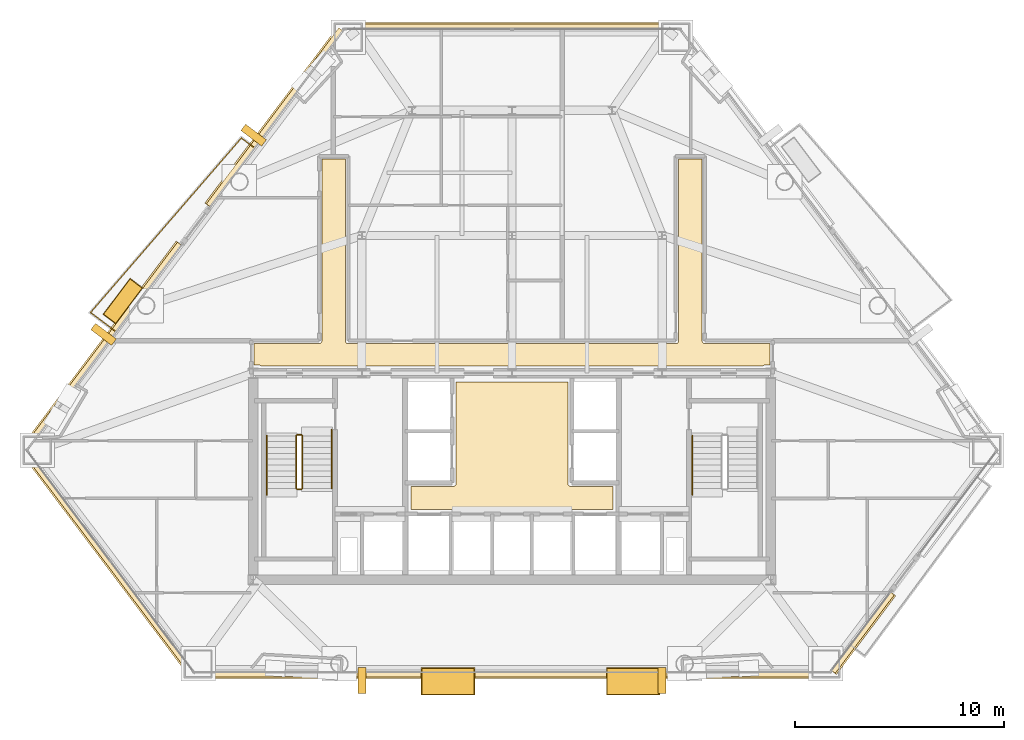
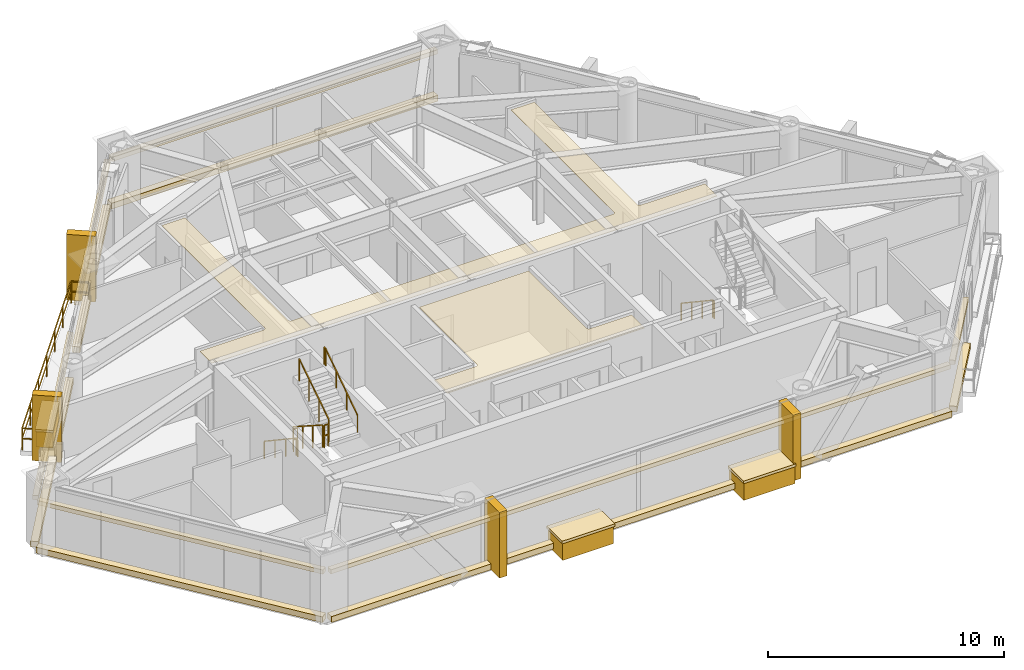
# One storey, part 9 of 10: 24 coverings, 8 railings.
"""IFC4 building model written with IfcOpenShell, lengths in metres."""

from ifc_helpers import new_model, si_unit, direction, frame, origin, origin_2d, place, context, subcontext, project, spatial, polyline, rectangle, outline, extrude, material, layer, layer_set, type_object, element, save


model = new_model("IFC4")

# Units and contexts
model_context = context("Model", 3, precision=1e-05, world=origin(), true_north=direction((0.0, 1.0)))
body_context = subcontext(model_context, "Body", "Model", "MODEL_VIEW")
ifc_project = project(units=[si_unit("LENGTHUNIT", "METRE"), si_unit("AREAUNIT", "SQUARE_METRE"), si_unit("VOLUMEUNIT", "CUBIC_METRE"), si_unit("PLANEANGLEUNIT", "RADIAN"), si_unit("MASSUNIT", "GRAM", prefix="KILO")], contexts=[model_context])

# Site, building, storey
site_placement = place(None, origin())
site = spatial("IfcSite", under=ifc_project, at=site_placement, CompositionType="ELEMENT")
building_placement = place(site_placement, origin())
building = spatial("IfcBuilding", under=site, at=building_placement, Name="Talgorran Terracotta Tower", CompositionType="ELEMENT")
storey_placement = place(building_placement, frame((0.0, 0.0, 49.5)))
storey = spatial("IfcBuildingStorey", under=building, at=storey_placement, Name="L12", CompositionType="ELEMENT", Elevation=49.5)

# Coverings
ifc_material_1 = material(Name="Kiln-Fired Terracotta Ochre Ceramic", Category="masonry")
ifc_layer_1 = layer(ifc_material_1, 0.179931640625, Name="COV_BAGUETTE_TERRACOTTA_SCREEN")
ifc_layer_set_1 = layer_set([ifc_layer_1], Name="Kiln-Fired Terracotta Ochre Ceramic")
covering_type_1 = type_object("IfcCoveringType", Name="COV_BAGUETTE_TERRACOTTA_SCREEN", PredefinedType="CLADDING", material=ifc_layer_set_1)
covering_1_placement = place(storey_placement, frame((-19.33154296875, -13.274169921875, 2.41015625), z_axis=(0.0, 0.0, 1.0), x_axis=(0.601633803014, -0.798772036986, 0.0)))
element("IfcCovering", 1, at=covering_1_placement, inside=storey, type_object=covering_type_1, Name="L12 Terracotta Baguette Solar Screen Assembly F0", PredefinedType="CLADDING", context=body_context, shape_type="SweptSolid", body=[
    extrude(rectangle(XDim=13.184326171875, YDim=0.260009765625, at=origin_2d()), origin(), (0.0, 0.0, 1.0), 0.219970703125),
])
covering_2_placement = place(storey_placement, frame((0.0, -18.635498046875, 2.41015625), z_axis=(0.0, 0.0, 1.0), x_axis=(1.0, 0.0, 0.0)))
element("IfcCovering", 2, at=covering_2_placement, inside=storey, type_object=covering_type_1, Name="L12 Terracotta Baguette Solar Screen Assembly F1", PredefinedType="CLADDING", context=body_context, shape_type="SweptSolid", body=[
    extrude(rectangle(XDim=30.3466796875, YDim=0.260009765625, at=origin_2d()), origin(), (0.0, 0.0, 1.0), 0.219970703125),
])
covering_3_placement = place(storey_placement, frame((16.8046875, -16.62890625, 2.41015625), z_axis=(0.0, 0.0, 1.0), x_axis=(0.601633803014, 0.798772036986, 0.0)))
element("IfcCovering", 3, at=covering_3_placement, inside=storey, type_object=covering_type_1, Name="L12 Terracotta Baguette Solar Screen Assembly F30", PredefinedType="CLADDING", context=body_context, shape_type="SweptSolid", body=[
    extrude(rectangle(XDim=4.70458984375, YDim=0.260009765625, at=origin_2d()), origin(), (0.0, 0.0, 1.0), 0.219970703125),
])
covering_4_placement = place(storey_placement, frame((0.0, 12.40576171875, 2.41015625), z_axis=(0.0, 0.0, 1.0), x_axis=(-1.0, 0.0, 0.0)))
element("IfcCovering", 4, at=covering_4_placement, inside=storey, type_object=covering_type_1, Name="L12 Terracotta Baguette Solar Screen Assembly F4", PredefinedType="CLADDING", context=body_context, shape_type="SweptSolid", body=[
    extrude(rectangle(XDim=15.953857421875, YDim=0.260009765625, at=origin_2d()), origin(), (0.0, 0.0, 1.0), 0.219970703125),
])
covering_5_placement = place(storey_placement, frame((-11.37158203125, 8.057861328125, 2.41015625), z_axis=(0.0, 0.0, 1.0), x_axis=(-0.601633803014, -0.798772036986, 0.0)))
element("IfcCovering", 5, at=covering_5_placement, inside=storey, type_object=covering_type_1, Name="L12 Terracotta Baguette Solar Screen Assembly F60", PredefinedType="CLADDING", context=body_context, shape_type="SweptSolid", body=[
    extrude(rectangle(XDim=10.566650390625, YDim=0.260009765625, at=origin_2d()), origin(), (0.0, 0.0, 1.0), 0.219970703125),
])
covering_6_placement = place(storey_placement, frame((-19.603759765625, -2.8720703125, 2.41015625), z_axis=(0.0, 0.0, 1.0), x_axis=(-0.601633803014, -0.798772036986, 0.0)))
element("IfcCovering", 6, at=covering_6_placement, inside=storey, type_object=covering_type_1, Name="L12 Terracotta Baguette Solar Screen Assembly F61", PredefinedType="CLADDING", context=body_context, shape_type="SweptSolid", body=[
    extrude(rectangle(XDim=12.199462890625, YDim=0.260009765625, at=origin_2d()), origin(), (0.0, 0.0, 1.0), 0.219970703125),
])
ifc_material_2 = material(Name="Mineral Fibre Acoustic Tile")
ifc_layer_2 = layer(ifc_material_2, 0.02490234375, Name="COV_CEIL_ACOUSTIC")
ifc_layer_set_2 = layer_set([ifc_layer_2], Name="Mineral Fibre Acoustic Tile")
covering_type_2 = type_object("IfcCoveringType", Name="COV_CEIL_ACOUSTIC", PredefinedType="CEILING", material=ifc_layer_set_2)
covering_7_placement = place(storey_placement, frame((0.0, 0.0, 3.260009765625)))
element("IfcCovering", 7, at=covering_7_placement, inside=storey, type_object=covering_type_2, Name="CEIL-L12-2", PredefinedType="CEILING", context=body_context, shape_type="SweptSolid", body=[
    extrude(outline(polyline([(-12.364990234375, -2.784912109375), (-9.25, -2.784912109375), (-9.23828125, -2.784423828125), (-9.226806640625, -2.78271484375), (-9.21533203125, -2.77978515625), (-9.20703125, -2.77734375), (-9.196044921875, -2.7734375), (-9.185302734375, -2.768310546875), (-9.17529296875, -2.762451171875), (-9.165771484375, -2.75537109375), (-9.156982421875, -2.74755859375), (-9.149169921875, -2.73876953125), (-9.1435546875, -2.73193359375), (-9.136474609375, -2.722412109375), (-9.13037109375, -2.71240234375), (-9.125244140625, -2.70166015625), (-9.121337890625, -2.690673828125), (-9.118408203125, -2.67919921875), (-9.11669921875, -2.66748046875), (-9.1162109375, -2.65576171875), (-9.114990234375, 6.06494140625), (-7.985107421875, 6.06494140625), (-7.985107421875, -2.64990234375), (-7.984375, -2.66162109375), (-7.982666015625, -2.67333984375), (-7.97998046875, -2.6845703125), (-7.977294921875, -2.69287109375), (-7.973388671875, -2.7041015625), (-7.968505859375, -2.714599609375), (-7.96240234375, -2.724853515625), (-7.955322265625, -2.734375), (-7.947509765625, -2.742919921875), (-7.938720703125, -2.7509765625), (-7.931884765625, -2.756591796875), (-7.922607421875, -2.763671875), (-7.912353515625, -2.769775390625), (-7.901611328125, -2.774658203125), (-7.890625, -2.77880859375), (-7.879150390625, -2.781494140625), (-7.867431640625, -2.783203125), (-7.855712890625, -2.783935546875), (7.85009765625, -2.784912109375), (7.86181640625, -2.784423828125), (7.873291015625, -2.78271484375), (7.884521484375, -2.77978515625), (7.892822265625, -2.77734375), (7.904052734375, -2.7734375), (7.914794921875, -2.768310546875), (7.9248046875, -2.762451171875), (7.934326171875, -2.75537109375), (7.943115234375, -2.74755859375), (7.950927734375, -2.73876953125), (7.95654296875, -2.73193359375), (7.963623046875, -2.722412109375), (7.9697265625, -2.71240234375), (7.974609375, -2.70166015625), (7.978759765625, -2.690673828125), (7.981689453125, -2.67919921875), (7.9833984375, -2.66748046875), (7.98388671875, -2.65576171875), (7.985107421875, 6.06494140625), (9.114990234375, 6.06494140625), (9.114990234375, -2.64990234375), (9.115478515625, -2.66162109375), (9.1171875, -2.67333984375), (9.1201171875, -2.6845703125), (9.12255859375, -2.69287109375), (9.12646484375, -2.7041015625), (9.131591796875, -2.714599609375), (9.1376953125, -2.724853515625), (9.14453125, -2.734375), (9.152587890625, -2.742919921875), (9.1611328125, -2.7509765625), (9.16796875, -2.756591796875), (9.177490234375, -2.763671875), (9.1875, -2.769775390625), (9.1982421875, -2.774658203125), (9.20947265625, -2.77880859375), (9.220703125, -2.781494140625), (9.232421875, -2.783203125), (9.244384765625, -2.783935546875), (12.364990234375, -2.784912109375), (12.364990234375, -3.80908203125), (12.1201171875, -3.80908203125), (12.108154296875, -3.8095703125), (12.0966796875, -3.811279296875), (12.085205078125, -3.814208984375), (12.07421875, -3.818115234375), (12.0634765625, -3.8232421875), (12.05322265625, -3.8291015625), (12.0439453125, -3.836181640625), (12.03515625, -3.843994140625), (12.034423828125, -3.844970703125), (7.432861328125, -3.844970703125), (6.968017578125, -3.843017578125), (6.967529296875, -3.843017578125), (0.232666015625, -3.844970703125), (-0.23193359375, -3.843017578125), (-0.232421875, -3.843017578125), (-6.96728515625, -3.844970703125), (-7.431884765625, -3.843017578125), (-7.4326171875, -3.843017578125), (-12.034423828125, -3.844970703125), (-12.03515625, -3.843994140625), (-12.0439453125, -3.836181640625), (-12.05322265625, -3.8291015625), (-12.0634765625, -3.8232421875), (-12.07421875, -3.818115234375), (-12.085205078125, -3.814208984375), (-12.0966796875, -3.811279296875), (-12.108154296875, -3.8095703125), (-12.1201171875, -3.80908203125), (-12.364990234375, -3.80908203125), (-12.364990234375, -2.784912109375)])), origin(), (0.0, 0.0, 1.0), 0.02001953125),
])
ifc_material_3 = material(Name="Flush Moisture-Resistant Plaster")
ifc_layer_3 = layer(ifc_material_3, 0.01806640625, Name="COV_CEIL_PLASTER")
ifc_layer_set_3 = layer_set([ifc_layer_3], Name="Flush Moisture-Resistant Plaster")
covering_type_3 = type_object("IfcCoveringType", Name="COV_CEIL_PLASTER", PredefinedType="CEILING", material=ifc_layer_set_3)
covering_8_placement = place(storey_placement, frame((0.0, 0.0, 3.260009765625)))
element("IfcCovering", 8, at=covering_8_placement, inside=storey, type_object=covering_type_3, Name="CEIL-L12-1", PredefinedType="CEILING", context=body_context, shape_type="SweptSolid", body=[
    extrude(outline(polyline([(-4.830078125, -9.6201171875), (-2.800048828125, -9.6201171875), (-2.7880859375, -9.619384765625), (-2.776611328125, -9.61767578125), (-2.76513671875, -9.61474609375), (-2.754150390625, -9.61083984375), (-2.743408203125, -9.605712890625), (-2.7333984375, -9.599853515625), (-2.723876953125, -9.5927734375), (-2.715087890625, -9.5849609375), (-2.707275390625, -9.576171875), (-2.7001953125, -9.566650390625), (-2.694091796875, -9.556640625), (-2.689208984375, -9.5458984375), (-2.685302734375, -9.534912109375), (-2.682373046875, -9.5234375), (-2.6806640625, -9.51171875), (-2.679931640625, -9.5), (-2.679931640625, -4.6201171875), (2.679931640625, -4.6201171875), (2.679931640625, -9.5), (2.6806640625, -9.51171875), (2.682373046875, -9.5234375), (2.685302734375, -9.534912109375), (2.689208984375, -9.5458984375), (2.694091796875, -9.556640625), (2.7001953125, -9.566650390625), (2.707275390625, -9.576171875), (2.715087890625, -9.5849609375), (2.723876953125, -9.5927734375), (2.7333984375, -9.599853515625), (2.743408203125, -9.605712890625), (2.754150390625, -9.61083984375), (2.76513671875, -9.61474609375), (2.776611328125, -9.61767578125), (2.7880859375, -9.619384765625), (2.800048828125, -9.6201171875), (4.830078125, -9.6201171875), (4.830078125, -10.72998046875), (-4.830078125, -10.72998046875), (-4.830078125, -9.6201171875)])), origin(), (0.0, 0.0, 1.0), 0.02001953125),
])
ifc_material_4 = material(Name="Honed Limestone and Terracotta Planter", Category="masonry")
ifc_layer_4 = layer(ifc_material_4, 0.1201171875, Name="COV_PLANTER_BOX")
ifc_layer_set_4 = layer_set([ifc_layer_4], Name="Honed Limestone and Terracotta Planter")
covering_type_4 = type_object("IfcCoveringType", Name="COV_PLANTER_BOX", PredefinedType="CLADDING", material=ifc_layer_set_4)
for number, where, z_axis, x_axis, name in (
    (9, (5.815185546875, -18.9755859375, -0.179931640625), (0.0, 0.0, 1.0), (1.0, 0.0, 0.0), "L12 Staggered South Facade Planter Box 1"),
    (10, (-3.060546875, -18.9755859375, -0.179931640625), (0.0, 0.0, 1.0), (1.0, 0.0, 0.0), "L12 Staggered South Facade Planter Box 2"),
):
    element("IfcCovering", number, at=place(storey_placement, frame(where, z_axis=z_axis, x_axis=x_axis)), inside=storey, type_object=covering_type_4, Name=name, PredefinedType="CLADDING", context=body_context, shape_type="SweptSolid", body=[
        extrude(rectangle(XDim=2.5, YDim=1.25, at=origin_2d()), origin(), (0.0, 0.0, 1.0), 0.919921875),
    ])
covering_9_placement = place(storey_placement, frame((-18.6513671875, -0.744873046875, -0.02001953125), z_axis=(0.0, 0.0, 1.0), x_axis=(-0.601633803014, -0.798772036986, 0.0)))
element("IfcCovering", 11, at=covering_9_placement, inside=storey, type_object=covering_type_4, Name="L12 Staggered Balcony Planter Box BAL-NW", PredefinedType="CLADDING", context=body_context, shape_type="SweptSolid", body=[
    extrude(rectangle(XDim=2.10009765625, YDim=0.719970703125, at=origin_2d()), origin(), (0.0, 0.0, 1.0), 0.860107421875),
])
ifc_material_5 = material(Name="Kiln-Fired Terracotta Planter Rim", Category="masonry")
ifc_layer_5 = layer(ifc_material_5, 0.10009765625, Name="COV_PLANTER_RIM")
ifc_layer_set_5 = layer_set([ifc_layer_5], Name="Kiln-Fired Terracotta Planter Rim")
covering_type_5 = type_object("IfcCoveringType", Name="COV_PLANTER_RIM", PredefinedType="CLADDING", material=ifc_layer_set_5)
for number, where, z_axis, x_axis, name in (
    (12, (5.815185546875, -18.9755859375, 0.7099609375), (0.0, 0.0, 1.0), (1.0, 0.0, 0.0), "L12 South Planter Terracotta Rim 1"),
    (13, (-3.060546875, -18.9755859375, 0.7099609375), (0.0, 0.0, 1.0), (1.0, 0.0, 0.0), "L12 South Planter Terracotta Rim 2"),
):
    element("IfcCovering", number, at=place(storey_placement, frame(where, z_axis=z_axis, x_axis=x_axis)), inside=storey, type_object=covering_type_5, Name=name, PredefinedType="CLADDING", context=body_context, shape_type="SweptSolid", body=[
        extrude(rectangle(XDim=2.580078125, YDim=1.320068359375, at=origin_2d()), origin(), (0.0, 0.0, 1.0), 0.139892578125),
    ])
covering_10_placement = place(storey_placement, frame((-18.6513671875, -0.744873046875, 0.800048828125), z_axis=(0.0, 0.0, 1.0), x_axis=(-0.601633803014, -0.798772036986, 0.0)))
element("IfcCovering", 14, at=covering_10_placement, inside=storey, type_object=covering_type_5, Name="L12 Balcony Planter Terracotta Rim BAL-NW", PredefinedType="CLADDING", context=body_context, shape_type="SweptSolid", body=[
    extrude(rectangle(XDim=2.179931640625, YDim=0.780029296875, at=origin_2d()), origin(), (0.0, 0.0, 1.0), 0.1201171875),
])
ifc_material_6 = material(Name="Honed Limestone Cladding", Category="masonry")
ifc_layer_6 = layer(ifc_material_6, 0.094970703125, Name="COV_PORTAL_LIME")
ifc_layer_set_6 = layer_set([ifc_layer_6], Name="Honed Limestone Cladding")
covering_type_6 = type_object("IfcCoveringType", Name="COV_PORTAL_LIME", PredefinedType="CLADDING", material=ifc_layer_set_6)
covering_11_placement = place(storey_placement, frame((-19.36328125, -13.298095703125, -0.0400390625), z_axis=(0.0, 0.0, 1.0), x_axis=(0.601633803014, -0.798772036986, 0.0)))
element("IfcCovering", 15, at=covering_11_placement, inside=storey, type_object=covering_type_6, Name="L12 Striped Postmodern Portal Cladding Band F0", PredefinedType="CLADDING", context=body_context, shape_type="SweptSolid", body=[
    extrude(rectangle(XDim=13.204345703125, YDim=0.340087890625, at=origin_2d()), origin(), (0.0, 0.0, 1.0), 0.300048828125),
])
covering_12_placement = place(storey_placement, frame((0.0, -18.675537109375, -0.0400390625), z_axis=(0.0, 0.0, 1.0), x_axis=(1.0, 0.0, 0.0)))
element("IfcCovering", 16, at=covering_12_placement, inside=storey, type_object=covering_type_6, Name="L12 Striped Postmodern Portal Cladding Band F1", PredefinedType="CLADDING", context=body_context, shape_type="SweptSolid", body=[
    extrude(rectangle(XDim=30.36669921875, YDim=0.340087890625, at=origin_2d()), origin(), (0.0, 0.0, 1.0), 0.300048828125),
])
covering_13_placement = place(storey_placement, frame((16.836669921875, -16.65283203125, -0.0400390625), z_axis=(0.0, 0.0, 1.0), x_axis=(0.601633803014, 0.798772036986, 0.0)))
element("IfcCovering", 17, at=covering_13_placement, inside=storey, type_object=covering_type_6, Name="L12 Striped Postmodern Portal Cladding Band F30", PredefinedType="CLADDING", context=body_context, shape_type="SweptSolid", body=[
    extrude(rectangle(XDim=4.724609375, YDim=0.340087890625, at=origin_2d()), origin(), (0.0, 0.0, 1.0), 0.300048828125),
])
covering_14_placement = place(storey_placement, frame((0.0, 12.44580078125, -0.0400390625), z_axis=(0.0, 0.0, 1.0), x_axis=(-1.0, 0.0, 0.0)))
element("IfcCovering", 18, at=covering_14_placement, inside=storey, type_object=covering_type_6, Name="L12 Striped Postmodern Portal Cladding Band F4", PredefinedType="CLADDING", context=body_context, shape_type="SweptSolid", body=[
    extrude(rectangle(XDim=15.973876953125, YDim=0.340087890625, at=origin_2d()), origin(), (0.0, 0.0, 1.0), 0.300048828125),
])
covering_15_placement = place(storey_placement, frame((-11.403564453125, 8.081787109375, -0.0400390625), z_axis=(0.0, 0.0, 1.0), x_axis=(-0.601633803014, -0.798772036986, 0.0)))
element("IfcCovering", 19, at=covering_15_placement, inside=storey, type_object=covering_type_6, Name="L12 Striped Postmodern Portal Cladding Band F60", PredefinedType="CLADDING", context=body_context, shape_type="SweptSolid", body=[
    extrude(rectangle(XDim=10.586669921875, YDim=0.340087890625, at=origin_2d()), origin(), (0.0, 0.0, 1.0), 0.300048828125),
])
covering_16_placement = place(storey_placement, frame((-19.635498046875, -2.847900390625, -0.0400390625), z_axis=(0.0, 0.0, 1.0), x_axis=(-0.601633803014, -0.798772036986, 0.0)))
element("IfcCovering", 20, at=covering_16_placement, inside=storey, type_object=covering_type_6, Name="L12 Striped Postmodern Portal Cladding Band F61", PredefinedType="CLADDING", context=body_context, shape_type="SweptSolid", body=[
    extrude(rectangle(XDim=12.219482421875, YDim=0.340087890625, at=origin_2d()), origin(), (0.0, 0.0, 1.0), 0.300048828125),
])
for number, where, z_axis, x_axis, name in (
    (21, (7.1923828125, -18.935546875, -0.050048828125), (0.0, 0.0, 1.0), (1.0, 0.0, 0.0), "L12 White Striped Portal Fin F1-2"),
    (22, (-19.578369140625, -2.339599609375, -0.050048828125), (0.0, 0.0, 1.0), (-0.601633803014, -0.798772036986, 0.0), "L12 White Striped Portal Fin F5-2"),
):
    element("IfcCovering", number, at=place(storey_placement, frame(where, z_axis=z_axis, x_axis=x_axis)), inside=storey, type_object=covering_type_6, Name=name, PredefinedType="CLADDING", context=body_context, shape_type="SweptSolid", body=[
        extrude(rectangle(XDim=0.3798828125, YDim=1.25, at=origin_2d()), origin(), (0.0, 0.0, 1.0), 3.39990234375),
    ])
ifc_material_7 = material(Name="Kiln-Fired Terracotta Cladding", Category="masonry")
ifc_layer_7 = layer(ifc_material_7, 0.090087890625, Name="COV_PORTAL_TERRA")
ifc_layer_set_7 = layer_set([ifc_layer_7], Name="Kiln-Fired Terracotta Cladding")
covering_type_7 = type_object("IfcCoveringType", Name="COV_PORTAL_TERRA", PredefinedType="CLADDING", material=ifc_layer_set_7)
for number, where, z_axis, x_axis, name in (
    (23, (-7.1923828125, -18.935546875, -0.050048828125), (0.0, 0.0, 1.0), (1.0, 0.0, 0.0), "L12 Terracotta Striped Portal Fin F1-1"),
    (24, (-12.3857421875, 7.2099609375, -0.050048828125), (0.0, 0.0, 1.0), (-0.601633803014, -0.798772036986, 0.0), "L12 Terracotta Striped Portal Fin F5-1"),
):
    element("IfcCovering", number, at=place(storey_placement, frame(where, z_axis=z_axis, x_axis=x_axis)), inside=storey, type_object=covering_type_7, Name=name, PredefinedType="CLADDING", context=body_context, shape_type="SweptSolid", body=[
        extrude(rectangle(XDim=0.3798828125, YDim=1.25, at=origin_2d()), origin(), (0.0, 0.0, 1.0), 3.39990234375),
    ])

# Railings
ifc_material_8 = material(Name="Laminated Glass and Stainless Steel 316", Category="steel")
railing_type_1 = type_object("IfcRailingType", Name="RL_BALCONY_1150", PredefinedType="BALUSTRADE", material=ifc_material_8)
railing_1_placement = place(storey_placement, frame((-12.35986328125, 6.612548828125, 0.0)))
element("IfcRailing", 25, at=railing_1_placement, inside=storey, type_object=railing_type_1, Name="RL-L12-BAL-BAL-NW", PredefinedType="BALUSTRADE", context=body_context, shape_type="SweptSolid", body=[
    extrude(rectangle(XDim=0.048095703125, YDim=0.048095703125, at=origin_2d()), frame((0.0, 0.0, 1.1259765625), z_axis=(-0.798816898576, 0.60157423694, 0.0), x_axis=(-0.60157423694, -0.798816898576, 0.0)), (0.0, 0.0, 1.0), 0.7685546875),
    extrude(rectangle(XDim=0.048095703125, YDim=0.048095703125, at=origin_2d()), frame((0.0, 0.0, 0.597900390625), z_axis=(-0.798816898576, 0.60157423694, 0.0), x_axis=(-0.60157423694, -0.798816898576, 0.0)), (0.0, 0.0, 1.0), 0.7685546875),
    extrude(rectangle(XDim=0.048095703125, YDim=0.048095703125, at=origin_2d()), frame((-0.614013671875, 0.46240234375, 1.1259765625), z_axis=(-0.653784845329, -0.756680497976, 0.0), x_axis=(0.756680497976, -0.653784845329, 0.0)), (0.0, 0.0, 1.0), 11.056884765625),
    extrude(rectangle(XDim=0.048095703125, YDim=0.048095703125, at=origin_2d()), frame((-0.614013671875, 0.46240234375, 0.597900390625), z_axis=(-0.653784845329, -0.756680497976, 0.0), x_axis=(0.756680497976, -0.653784845329, 0.0)), (0.0, 0.0, 1.0), 11.056884765625),
    extrude(rectangle(XDim=0.048095703125, YDim=0.048095703125, at=origin_2d()), frame((-7.8427734375, -7.904052734375, 1.1259765625), z_axis=(0.798717123576, -0.601706703059, 0.0), x_axis=(0.601706703059, 0.798717123576, 0.0)), (0.0, 0.0, 1.0), 1.50927734375),
    extrude(rectangle(XDim=0.048095703125, YDim=0.048095703125, at=origin_2d()), frame((-7.8427734375, -7.904052734375, 0.597900390625), z_axis=(0.798717123576, -0.601706703059, 0.0), x_axis=(0.601706703059, 0.798717123576, 0.0)), (0.0, 0.0, 1.0), 1.50927734375),
    extrude(rectangle(XDim=0.0419921875, YDim=0.0419921875, at=origin_2d()), origin(), (0.0, 0.0, 1.0), 1.101806640625),
    extrude(rectangle(XDim=0.0419921875, YDim=0.0419921875, at=origin_2d()), frame((-0.614013671875, 0.46240234375, 0.0)), (0.0, 0.0, 1.0), 1.101806640625),
    extrude(rectangle(XDim=0.0419921875, YDim=0.0419921875, at=origin_2d()), frame((-1.81884765625, -0.93212890625, 0.0)), (0.0, 0.0, 1.0), 1.101806640625),
    extrude(rectangle(XDim=0.0419921875, YDim=0.0419921875, at=origin_2d()), frame((-3.023681640625, -2.326416015625, 0.0)), (0.0, 0.0, 1.0), 1.101806640625),
    extrude(rectangle(XDim=0.0419921875, YDim=0.0419921875, at=origin_2d()), frame((-4.228515625, -3.720703125, 0.0)), (0.0, 0.0, 1.0), 1.101806640625),
    extrude(rectangle(XDim=0.0419921875, YDim=0.0419921875, at=origin_2d()), frame((-5.43310546875, -5.115234375, 0.0)), (0.0, 0.0, 1.0), 1.101806640625),
    extrude(rectangle(XDim=0.0419921875, YDim=0.0419921875, at=origin_2d()), frame((-6.637939453125, -6.509765625, 0.0)), (0.0, 0.0, 1.0), 1.101806640625),
    extrude(rectangle(XDim=0.0419921875, YDim=0.0419921875, at=origin_2d()), frame((-7.8427734375, -7.904052734375, 0.0)), (0.0, 0.0, 1.0), 1.101806640625),
    extrude(rectangle(XDim=0.0419921875, YDim=0.0419921875, at=origin_2d()), frame((-6.63720703125, -8.812255859375, 0.0)), (0.0, 0.0, 1.0), 1.101806640625),
])
ifc_material_9 = material(Name="Steel S355 (300PLUS)", Category="steel")
railing_type_2 = type_object("IfcRailingType", Name="RL_HANDRAIL_920", PredefinedType="HANDRAIL", material=ifc_material_9)
railing_2_placement = place(storey_placement, frame((-11.75, -7.199951171875, 0.179931640625)))
element("IfcRailing", 26, at=railing_2_placement, inside=storey, type_object=railing_type_2, Name="L12 ST-01 stair handrail 1", PredefinedType="HANDRAIL", context=body_context, shape_type="SweptSolid", body=[
    extrude(rectangle(XDim=0.048095703125, YDim=0.048095703125, at=origin_2d()), frame((0.0, 0.0, 0.89599609375), z_axis=(0.0, -0.832038719335, 0.554717558338), x_axis=(1.0, 0.0, 0.0)), (0.0, 0.0, 1.0), 3.244873046875),
    extrude(rectangle(XDim=0.048095703125, YDim=0.048095703125, at=origin_2d()), frame((0.0, -2.699951171875, 2.69580078125), z_axis=(0.0, -1.0, 0.0), x_axis=(1.0, 0.0, 0.0)), (0.0, 0.0, 1.0), 0.1201171875),
    extrude(rectangle(XDim=0.0419921875, YDim=0.0419921875, at=origin_2d()), origin(), (0.0, 0.0, 1.0), 0.871826171875),
    extrude(rectangle(XDim=0.0419921875, YDim=0.0419921875, at=origin_2d()), frame((0.0, -0.89990234375, 0.60009765625)), (0.0, 0.0, 1.0), 0.871826171875),
    extrude(rectangle(XDim=0.0419921875, YDim=0.0419921875, at=origin_2d()), frame((0.0, -1.800048828125, 1.199951171875)), (0.0, 0.0, 1.0), 0.871826171875),
    extrude(rectangle(XDim=0.0419921875, YDim=0.0419921875, at=origin_2d()), frame((0.0, -2.699951171875, 1.800048828125)), (0.0, 0.0, 1.0), 0.871826171875),
    extrude(rectangle(XDim=0.0419921875, YDim=0.0419921875, at=origin_2d()), frame((0.0, -2.820068359375, 1.800048828125)), (0.0, 0.0, 1.0), 0.871826171875),
])
railing_3_placement = place(storey_placement, frame((-8.64990234375, -9.719970703125, 1.97998046875)))
element("IfcRailing", 27, at=railing_3_placement, inside=storey, type_object=railing_type_2, Name="L12 ST-01 stair handrail 2", PredefinedType="HANDRAIL", context=body_context, shape_type="SweptSolid", body=[
    extrude(rectangle(XDim=0.048095703125, YDim=0.048095703125, at=origin_2d()), frame((0.0, 0.0, 0.89599609375), z_axis=(0.0, 0.832038719335, 0.554717558338), x_axis=(-1.0, 0.0, 0.0)), (0.0, 0.0, 1.0), 3.244873046875),
    extrude(rectangle(XDim=0.048095703125, YDim=0.048095703125, at=origin_2d()), frame((0.0, 2.699951171875, 2.69580078125), z_axis=(0.0, 1.0, 0.0), x_axis=(-1.0, 0.0, 0.0)), (0.0, 0.0, 1.0), 0.1201171875),
    extrude(rectangle(XDim=0.0419921875, YDim=0.0419921875, at=origin_2d()), origin(), (0.0, 0.0, 1.0), 0.871826171875),
    extrude(rectangle(XDim=0.0419921875, YDim=0.0419921875, at=origin_2d()), frame((0.0, 0.89990234375, 0.60009765625)), (0.0, 0.0, 1.0), 0.871826171875),
    extrude(rectangle(XDim=0.0419921875, YDim=0.0419921875, at=origin_2d()), frame((0.0, 1.800048828125, 1.199951171875)), (0.0, 0.0, 1.0), 0.871826171875),
    extrude(rectangle(XDim=0.0419921875, YDim=0.0419921875, at=origin_2d()), frame((0.0, 2.699951171875, 1.800048828125)), (0.0, 0.0, 1.0), 0.871826171875),
    extrude(rectangle(XDim=0.0419921875, YDim=0.0419921875, at=origin_2d()), frame((0.0, 2.820068359375, 1.800048828125)), (0.0, 0.0, 1.0), 0.871826171875),
])
railing_4_placement = place(storey_placement, frame((8.64990234375, -7.199951171875, 0.179931640625)))
element("IfcRailing", 28, at=railing_4_placement, inside=storey, type_object=railing_type_2, Name="L12 ST-02 stair handrail 1", PredefinedType="HANDRAIL", context=body_context, shape_type="SweptSolid", body=[
    extrude(rectangle(XDim=0.048095703125, YDim=0.048095703125, at=origin_2d()), frame((0.0, 0.0, 0.89599609375), z_axis=(0.0, -0.832038719335, 0.554717558338), x_axis=(1.0, 0.0, 0.0)), (0.0, 0.0, 1.0), 3.244873046875),
    extrude(rectangle(XDim=0.048095703125, YDim=0.048095703125, at=origin_2d()), frame((0.0, -2.699951171875, 2.69580078125), z_axis=(0.0, -1.0, 0.0), x_axis=(1.0, 0.0, 0.0)), (0.0, 0.0, 1.0), 0.1201171875),
    extrude(rectangle(XDim=0.0419921875, YDim=0.0419921875, at=origin_2d()), origin(), (0.0, 0.0, 1.0), 0.871826171875),
    extrude(rectangle(XDim=0.0419921875, YDim=0.0419921875, at=origin_2d()), frame((0.0, -0.89990234375, 0.60009765625)), (0.0, 0.0, 1.0), 0.871826171875),
    extrude(rectangle(XDim=0.0419921875, YDim=0.0419921875, at=origin_2d()), frame((0.0, -1.800048828125, 1.199951171875)), (0.0, 0.0, 1.0), 0.871826171875),
    extrude(rectangle(XDim=0.0419921875, YDim=0.0419921875, at=origin_2d()), frame((0.0, -2.699951171875, 1.800048828125)), (0.0, 0.0, 1.0), 0.871826171875),
    extrude(rectangle(XDim=0.0419921875, YDim=0.0419921875, at=origin_2d()), frame((0.0, -2.820068359375, 1.800048828125)), (0.0, 0.0, 1.0), 0.871826171875),
])
railing_type_3 = type_object("IfcRailingType", Name="RL_STAIR_GUARD", PredefinedType="GUARDRAIL", material=ifc_material_9)
railing_5_placement = place(storey_placement, frame((-10.35009765625, -7.199951171875, 0.179931640625)))
element("IfcRailing", 29, at=railing_5_placement, inside=storey, type_object=railing_type_3, Name="L12 ST-01 stair guard 1", PredefinedType="GUARDRAIL", context=body_context, shape_type="SweptSolid", body=[
    extrude(rectangle(XDim=0.048095703125, YDim=0.048095703125, at=origin_2d()), frame((0.0, 0.0, 1.15576171875), z_axis=(0.0, -0.841162588446, 0.540782303519), x_axis=(1.0, 0.0, 0.0)), (0.0, 0.0, 1.0), 2.995849609375),
    extrude(rectangle(XDim=0.0419921875, YDim=0.0419921875, at=origin_2d()), origin(), (0.0, 0.0, 1.0), 1.1318359375),
    extrude(rectangle(XDim=0.0419921875, YDim=0.0419921875, at=origin_2d()), frame((0.0, -0.840087890625, 0.5400390625)), (0.0, 0.0, 1.0), 1.1318359375),
    extrude(rectangle(XDim=0.0419921875, YDim=0.0419921875, at=origin_2d()), frame((0.0, -1.679931640625, 1.080078125)), (0.0, 0.0, 1.0), 1.1318359375),
    extrude(rectangle(XDim=0.0419921875, YDim=0.0419921875, at=origin_2d()), frame((0.0, -2.52001953125, 1.6201171875)), (0.0, 0.0, 1.0), 1.1318359375),
])
railing_6_placement = place(storey_placement, frame((-10.300048828125, -9.77001953125, 1.800048828125)))
element("IfcRailing", 30, at=railing_6_placement, inside=storey, type_object=railing_type_3, Name="L12 ST-01 stair guard 2", PredefinedType="GUARDRAIL", context=body_context, shape_type="SweptSolid", body=[
    extrude(rectangle(XDim=0.048095703125, YDim=0.048095703125, at=origin_2d()), frame((0.0, 0.0, 1.15576171875), z_axis=(1.0, 0.0, 0.0), x_axis=(0.0, 1.0, 0.0)), (0.0, 0.0, 1.0), 0.199951171875),
    extrude(rectangle(XDim=0.048095703125, YDim=0.048095703125, at=origin_2d()), frame((0.0, 0.0, 0.613525390625), z_axis=(1.0, 0.0, 0.0), x_axis=(0.0, 1.0, 0.0)), (0.0, 0.0, 1.0), 0.199951171875),
    extrude(rectangle(XDim=0.0419921875, YDim=0.0419921875, at=origin_2d()), origin(), (0.0, 0.0, 1.0), 1.1318359375),
    extrude(rectangle(XDim=0.0419921875, YDim=0.0419921875, at=origin_2d()), frame((0.199951171875, 0.0, 0.0)), (0.0, 0.0, 1.0), 1.1318359375),
])
railing_7_placement = place(storey_placement, frame((-10.050048828125, -9.719970703125, 1.97998046875)))
element("IfcRailing", 31, at=railing_7_placement, inside=storey, type_object=railing_type_3, Name="L12 ST-01 stair guard 3", PredefinedType="GUARDRAIL", context=body_context, shape_type="SweptSolid", body=[
    extrude(rectangle(XDim=0.048095703125, YDim=0.048095703125, at=origin_2d()), frame((0.0, 0.0, 1.15576171875), z_axis=(0.0, 0.841162588446, 0.540782303519), x_axis=(-1.0, 0.0, 0.0)), (0.0, 0.0, 1.0), 2.995849609375),
    extrude(rectangle(XDim=0.0419921875, YDim=0.0419921875, at=origin_2d()), origin(), (0.0, 0.0, 1.0), 1.1318359375),
    extrude(rectangle(XDim=0.0419921875, YDim=0.0419921875, at=origin_2d()), frame((0.0, 0.840087890625, 0.5400390625)), (0.0, 0.0, 1.0), 1.1318359375),
    extrude(rectangle(XDim=0.0419921875, YDim=0.0419921875, at=origin_2d()), frame((0.0, 1.679931640625, 1.080078125)), (0.0, 0.0, 1.0), 1.1318359375),
    extrude(rectangle(XDim=0.0419921875, YDim=0.0419921875, at=origin_2d()), frame((0.0, 2.52001953125, 1.6201171875)), (0.0, 0.0, 1.0), 1.1318359375),
])
railing_8_placement = place(storey_placement, frame((-10.300048828125, -7.14990234375, 0.0)))
element("IfcRailing", 32, at=railing_8_placement, inside=storey, type_object=railing_type_3, Name="L12 ST-01 stair guard 4", PredefinedType="GUARDRAIL", context=body_context, shape_type="SweptSolid", body=[
    extrude(rectangle(XDim=0.048095703125, YDim=0.048095703125, at=origin_2d()), frame((0.0, 0.0, 1.15576171875), z_axis=(1.0, 0.0, 0.0), x_axis=(0.0, 1.0, 0.0)), (0.0, 0.0, 1.0), 0.199951171875),
    extrude(rectangle(XDim=0.048095703125, YDim=0.048095703125, at=origin_2d()), frame((0.0, 0.0, 0.613525390625), z_axis=(1.0, 0.0, 0.0), x_axis=(0.0, 1.0, 0.0)), (0.0, 0.0, 1.0), 0.199951171875),
    extrude(rectangle(XDim=0.0419921875, YDim=0.0419921875, at=origin_2d()), origin(), (0.0, 0.0, 1.0), 1.1318359375),
    extrude(rectangle(XDim=0.0419921875, YDim=0.0419921875, at=origin_2d()), frame((0.199951171875, 0.0, 0.0)), (0.0, 0.0, 1.0), 1.1318359375),
])

save(model, "model.ifc")
